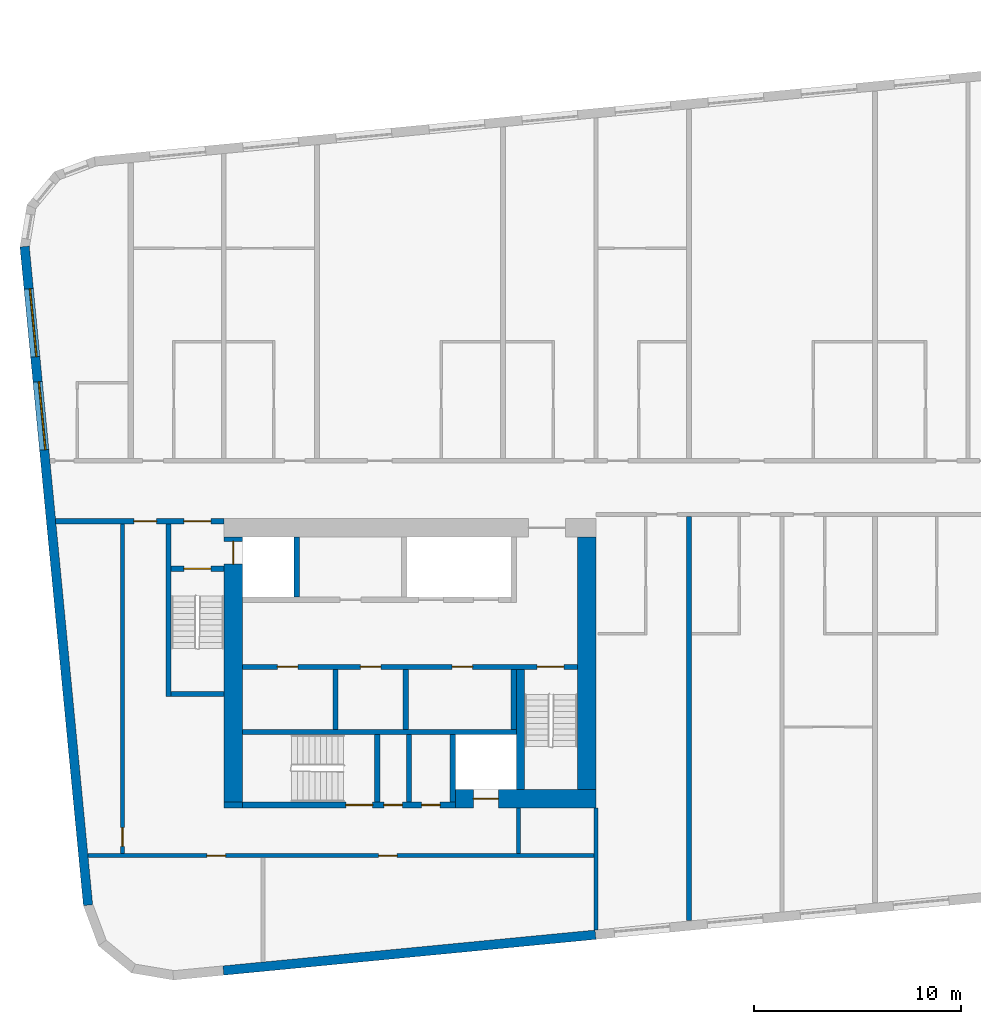
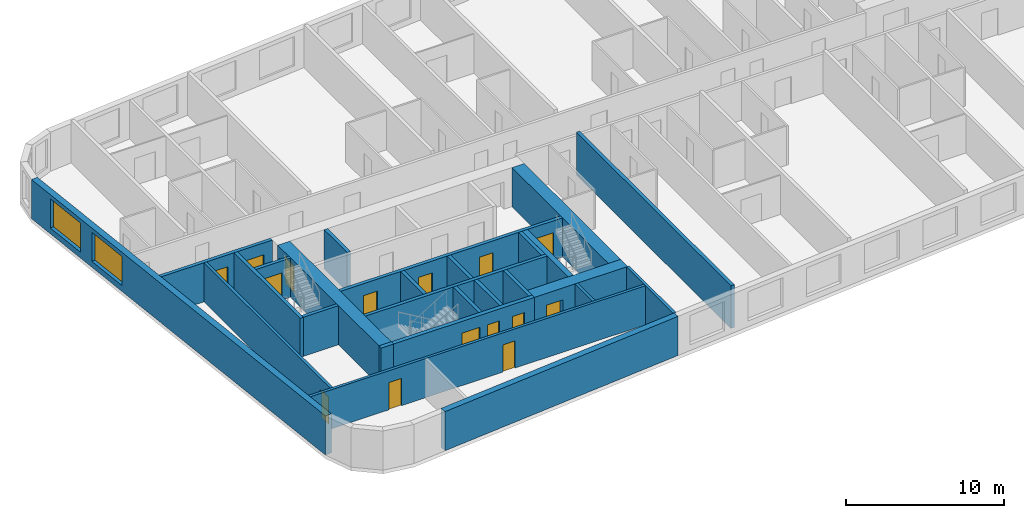
# One storey, part 2 of 12: 26 walls, 15 doors, 2 windows, 17 openings.
"""IFC4 building model written with IfcOpenShell, lengths in metres."""

from ifc_helpers import new_model, si_unit, direction, frame, frame_2d, origin, place, context, subcontext, project, spatial, rectangle, extrude, material, layer, layer_set, type_object, element, fill, save


model = new_model("IFC4")

# Units and contexts
model_context = context("Model", 3, precision=1e-05, world=origin(), true_north=direction((0.0, 1.0)))
body_context = subcontext(model_context, "Body", "Model", "MODEL_VIEW")
ifc_project = project(units=[si_unit("LENGTHUNIT", "METRE"), si_unit("AREAUNIT", "SQUARE_METRE"), si_unit("VOLUMEUNIT", "CUBIC_METRE"), si_unit("PLANEANGLEUNIT", "RADIAN"), si_unit("MASSUNIT", "GRAM", prefix="KILO")], contexts=[model_context])

# Site, building, storey
site_placement = place(None, origin())
site = spatial("IfcSite", under=ifc_project, at=site_placement, CompositionType="ELEMENT")
building_placement = place(site_placement, origin())
building = spatial("IfcBuilding", under=site, at=building_placement, Name="Kajstack Hotel Tower", CompositionType="ELEMENT")
storey_placement = place(building_placement, frame((0.0, 0.0, 294.89990234375)))
storey = spatial("IfcBuildingStorey", under=building, at=storey_placement, Name="L74", CompositionType="ELEMENT", Elevation=294.89990234375)

# Wall, opening, door
ifc_material_1 = material(Name="Concrete C60/75", Category="concrete")
ifc_layer_1 = layer(ifc_material_1, 0.89990234375)
ifc_layer_set_1 = layer_set([ifc_layer_1], Name="Core wall 900")
wall_type_1 = type_object("IfcWallType", Name="Core wall 900", PredefinedType="SHEAR", material=ifc_layer_set_1)
wall_1_placement = place(storey_placement, frame((-20.300048828125, -15.050048828125, 0.0), z_axis=(0.0, 0.0, 1.0), x_axis=(1.0, 0.0, 0.0)))
wall_1 = element("IfcWall", 1, at=wall_1_placement, inside=storey, type_object=wall_type_1, Name="Core wall W RS", PredefinedType="SHEAR", context=body_context, shape_type="SweptSolid", body=[
    extrude(rectangle(XDim=6.800048828125, YDim=0.89990234375, at=frame_2d((3.39990234375, 0.0))), origin(), (0.0, 0.0, 1.0), 3.02001953125),
])
opening_1_placement = place(wall_1_placement, frame((0.875, 0.0, 0.0)))
opening_1 = element("IfcOpeningElement", 2, at=opening_1_placement, cuts=wall_1, Name="Opening LD-SV1", PredefinedType="OPENING", context=body_context, shape_type="SweptSolid", body=[
    extrude(rectangle(XDim=1.199951171875, YDim=2.10009765625, at=frame_2d((0.60009765625, 1.050048828125))), frame((0.0, 0.4599609375, 0.0), z_axis=(0.0, -1.0, 0.0), x_axis=(1.0, 0.0, 0.0)), (0.0, 0.0, 1.0), 0.919921875),
])
ifc_material_2 = material(Name="Stainless steel", Category="steel")
door_type_1 = type_object("IfcDoorType", Name="Lift landing door 1200", OperationType="SLIDING_TO_LEFT", PredefinedType="DOOR", material=ifc_material_2)
door_1_placement = place(opening_1_placement, origin())
door_1 = element("IfcDoor", 3, at=door_1_placement, inside=storey, type_object=door_type_1, Name="Landing door SV1", OperationType="SLIDING_TO_LEFT", OverallHeight=2.10009765625, OverallWidth=1.199951171875, PredefinedType="DOOR", context=body_context, shape_type="SweptSolid", body=[
    extrude(rectangle(XDim=1.199951171875, YDim=2.10009765625, at=frame_2d((0.60009765625, 1.050048828125))), frame((0.0, 0.02490234375, 0.0), z_axis=(0.0, -1.0, 0.0), x_axis=(1.0, 0.0, 0.0)), (0.0, 0.0, 1.0), 0.050048828125),
])
fill(opening_1, door_1)

# Wall
wall_2_placement = place(storey_placement, frame((-31.5, -15.35009765625, 0.0), z_axis=(0.0, 0.0, 1.0), x_axis=(1.0, 0.0, 0.0)))
element("IfcWall", 4, at=wall_2_placement, inside=storey, type_object=wall_type_1, Name="Core wall W RSW", PredefinedType="SHEAR", context=body_context, shape_type="SweptSolid", body=[
    extrude(rectangle(XDim=0.89990234375, YDim=0.300048828125, at=frame_2d((0.449951171875, 0.0))), origin(), (0.0, 0.0, 1.0), 3.02001953125),
])

# Wall, opening, door
wall_3_placement = place(storey_placement, frame((-31.050048828125, -15.199951171875, 0.0), z_axis=(0.0, 0.0, 1.0), x_axis=(0.0, 1.0, 0.0)))
wall_3 = element("IfcWall", 5, at=wall_3_placement, inside=storey, type_object=wall_type_1, Name="Core wall W RW", PredefinedType="SHEAR", context=body_context, shape_type="SweptSolid", body=[
    extrude(rectangle(XDim=12.800048828125, YDim=0.89990234375, at=frame_2d((6.39990234375, 0.0))), origin(), (0.0, 0.0, 1.0), 3.02001953125),
])
opening_2_placement = place(wall_3_placement, frame((11.5, 0.0, 0.0)))
opening_2 = element("IfcOpeningElement", 6, at=opening_2_placement, cuts=wall_3, Name="Opening LD-FF1", PredefinedType="OPENING", context=body_context, shape_type="SweptSolid", body=[
    extrude(rectangle(XDim=1.10009765625, YDim=2.10009765625, at=frame_2d((0.550048828125, 1.050048828125))), frame((0.0, 0.4599609375, 0.0), z_axis=(0.0, -1.0, 0.0), x_axis=(1.0, 0.0, 0.0)), (0.0, 0.0, 1.0), 0.919921875),
])
door_type_2 = type_object("IfcDoorType", Name="Fire-fighting lift landing door 1100", OperationType="SLIDING_TO_LEFT", PredefinedType="DOOR", material=ifc_material_2)
door_2_placement = place(opening_2_placement, origin())
door_2 = element("IfcDoor", 7, at=door_2_placement, inside=storey, type_object=door_type_2, Name="Landing door FF1", OperationType="SLIDING_TO_RIGHT", OverallHeight=2.10009765625, OverallWidth=1.10009765625, PredefinedType="DOOR", context=body_context, shape_type="SweptSolid", body=[
    extrude(rectangle(XDim=1.10009765625, YDim=2.10009765625, at=frame_2d((0.550048828125, 1.050048828125))), frame((0.0, 0.02490234375, 0.0), z_axis=(0.0, -1.0, 0.0), x_axis=(1.0, 0.0, 0.0)), (0.0, 0.0, 1.0), 0.050048828125),
])
fill(opening_2, door_2)

# Walls
wall_4_placement = place(storey_placement, frame((-13.949951171875, -14.60009765625, 0.0), z_axis=(0.0, 0.0, 1.0), x_axis=(0.0, 1.0, 0.0)))
element("IfcWall", 8, at=wall_4_placement, inside=storey, type_object=wall_type_1, Name="Core wall W RE", PredefinedType="SHEAR", context=body_context, shape_type="SweptSolid", body=[
    extrude(rectangle(XDim=12.2001953125, YDim=0.89990234375, at=frame_2d((6.10009765625, 0.0))), origin(), (0.0, 0.0, 1.0), 3.02001953125),
])
ifc_material_3 = material(Name="Twin-frame gypsum board on steel studs, mineral wool", Category="steel")
ifc_layer_2 = layer(ifc_material_3, 0.199951171875)
ifc_layer_set_2 = layer_set([ifc_layer_2], Name="Demising wall 200")
wall_type_2 = type_object("IfcWallType", Name="Demising wall 200", PredefinedType="PARTITIONING", material=ifc_layer_set_2)
wall_5_placement = place(storey_placement, frame((-13.5, -21.39599609375, 0.0), z_axis=(0.0, 0.0, 1.0), x_axis=(0.0, 1.0, 0.0)))
element("IfcWall", 9, at=wall_5_placement, inside=storey, type_object=wall_type_2, Name="G-wall-L74-002", PredefinedType="PARTITIONING", context=body_context, shape_type="SweptSolid", body=[
    extrude(rectangle(XDim=5.89599609375, YDim=0.199951171875, at=frame_2d((2.947998046875, 0.0))), origin(), (0.0, 0.0, 1.0), 3.02001953125),
])
ifc_material_4 = material(Name="Concrete C40/50", Category="concrete")
ifc_layer_3 = layer(ifc_material_4, 0.449951171875)
ifc_layer_set_3 = layer_set([ifc_layer_3], Name="EW-CORE")
wall_type_3 = type_object("IfcWallType", Name="EW-CORE", PredefinedType="SOLIDWALL", material=ifc_layer_set_3)
wall_6_placement = place(storey_placement, frame((-31.521484375, -23.357177734375, 0.0), z_axis=(0.0, 0.0, 1.0), x_axis=(0.995396454615, 0.095843091245, 0.0)))
element("IfcWall", 10, at=wall_6_placement, inside=storey, type_object=wall_type_3, Name="E-wall-L74-04-01", PredefinedType="SOLIDWALL", context=body_context, shape_type="SweptSolid", body=[
    extrude(rectangle(XDim=18.083251953125, YDim=0.449951171875, at=frame_2d((9.04150390625, 0.0))), origin(), (0.0, 0.0, 1.0), 3.02001953125),
])

# Wall, openings, windows
ifc_material_5 = material(Name="Terracotta-faced brick masonry", Category="masonry")
ifc_layer_4 = layer(ifc_material_5, 0.449951171875)
ifc_layer_set_4 = layer_set([ifc_layer_4], Name="EW-TERRA")
wall_type_4 = type_object("IfcWallType", Name="EW-TERRA", PredefinedType="SOLIDWALL", material=ifc_layer_set_4)
wall_7_placement = place(storey_placement, frame((-41.13232421875, 11.657958984375, 0.0), z_axis=(0.0, 0.0, 1.0), x_axis=(0.095847749461, -0.995396006082, 0.0)))
wall_7 = element("IfcWall", 11, at=wall_7_placement, inside=storey, type_object=wall_type_4, Name="E-wall-L74-00-00", PredefinedType="SOLIDWALL", context=body_context, shape_type="SweptSolid", body=[
    extrude(rectangle(XDim=32.0, YDim=0.449951171875, at=frame_2d((16.0, 0.0))), origin(), (0.0, 0.0, 1.0), 3.02001953125),
])
opening_3_placement = place(wall_7_placement, frame((2.053466796875, 0.0, 0.449951171875)))
opening_3 = element("IfcOpeningElement", 12, at=opening_3_placement, cuts=wall_7, Name="Opening W2", PredefinedType="OPENING", context=body_context, shape_type="SweptSolid", body=[
    extrude(rectangle(XDim=3.300048828125, YDim=2.25, at=frame_2d((1.64990234375, 1.125))), frame((0.0, 0.23486328125, 0.0), z_axis=(0.0, -1.0, 0.0), x_axis=(1.0, 0.0, 0.0)), (0.0, 0.0, 1.0), 0.469970703125),
])
opening_4_placement = place(wall_7_placement, frame((6.57421875, 0.0, 0.449951171875)))
opening_4 = element("IfcOpeningElement", 13, at=opening_4_placement, cuts=wall_7, Name="Opening W2", PredefinedType="OPENING", context=body_context, shape_type="SweptSolid", body=[
    extrude(rectangle(XDim=3.300048828125, YDim=2.25, at=frame_2d((1.64990234375, 1.125))), frame((0.0, 0.23486328125, 0.0), z_axis=(0.0, -1.0, 0.0), x_axis=(1.0, 0.0, 0.0)), (0.0, 0.0, 1.0), 0.469970703125),
])
ifc_material_6 = material(Name="Timber-aluminium window, triple glazed", Category="wood")
window_type = type_object("IfcWindowType", Name="WG2", PartitioningType="SINGLE_PANEL", PredefinedType="WINDOW", material=ifc_material_6)
window_1_placement = place(opening_3_placement, origin())
window_1 = element("IfcWindow", 14, at=window_1_placement, inside=storey, type_object=window_type, Name="Window W2 L74-00", OverallHeight=2.25, OverallWidth=3.300048828125, PartitioningType="SINGLE_PANEL", PredefinedType="WINDOW", context=body_context, shape_type="SweptSolid", body=[
    extrude(rectangle(XDim=3.300048828125, YDim=2.25, at=frame_2d((1.64990234375, 1.125))), frame((0.0, 0.090087890625, 0.0), z_axis=(0.0, -1.0, 0.0), x_axis=(1.0, 0.0, 0.0)), (0.0, 0.0, 1.0), 0.06005859375),
])
fill(opening_3, window_1)
window_2_placement = place(opening_4_placement, origin())
window_2 = element("IfcWindow", 15, at=window_2_placement, inside=storey, type_object=window_type, Name="Window W2 L74-00", OverallHeight=2.25, OverallWidth=3.300048828125, PartitioningType="SINGLE_PANEL", PredefinedType="WINDOW", context=body_context, shape_type="SweptSolid", body=[
    extrude(rectangle(XDim=3.300048828125, YDim=2.25, at=frame_2d((1.64990234375, 1.125))), frame((0.0, 0.090087890625, 0.0), z_axis=(0.0, -1.0, 0.0), x_axis=(1.0, 0.0, 0.0)), (0.0, 0.0, 1.0), 0.06005859375),
])
fill(opening_4, window_2)

# Walls
ifc_layer_5 = layer(ifc_material_4, 0.25)
ifc_layer_set_5 = layer_set([ifc_layer_5], Name="RC cross wall 250 C40/50")
wall_type_5 = type_object("IfcWallType", Name="RC cross wall 250 C40/50", PredefinedType="SHEAR", material=ifc_layer_set_5)
wall_8_placement = place(storey_placement, frame((-9.0, -20.9404296875, 0.0), z_axis=(0.0, 0.0, 1.0), x_axis=(0.0, 1.0, 0.0)))
element("IfcWall", 16, at=wall_8_placement, inside=storey, type_object=wall_type_5, Name="S-wall-L74-04", PredefinedType="SHEAR", context=body_context, shape_type="SweptSolid", body=[
    extrude(rectangle(XDim=19.54052734375, YDim=0.25, at=frame_2d((9.770263671875, 0.0))), origin(), (0.0, 0.0, 1.0), 3.300048828125),
])
ifc_material_7 = material(Name="Concrete block masonry", Category="masonry")
ifc_layer_6 = layer(ifc_material_7, 0.25)
ifc_layer_set_6 = layer_set([ifc_layer_6], Name="Riser partition 250")
wall_type_6 = type_object("IfcWallType", Name="Riser partition 250", PredefinedType="PARTITIONING", material=ifc_layer_set_6)
for number, where, z_axis, x_axis, name in (
    (17, (-26.10009765625, -11.699951171875, 0.0), (0.0, 0.0, 1.0), (0.0, 1.0, 0.0), "Partition W BF0"),
    (18, (-22.699951171875, -11.699951171875, 0.0), (0.0, 0.0, 1.0), (0.0, 1.0, 0.0), "Partition W BF1"),
):
    element("IfcWall", number, at=place(storey_placement, frame(where, z_axis=z_axis, x_axis=x_axis)), inside=storey, type_object=wall_type_6, Name=name, PredefinedType="PARTITIONING", context=body_context, shape_type="SweptSolid", body=[
        extrude(rectangle(XDim=2.89990234375, YDim=0.25, at=frame_2d((1.449951171875, 0.0))), origin(), (0.0, 0.0, 1.0), 3.02001953125),
    ])
wall_9_placement = place(storey_placement, frame((-22.550048828125, -15.199951171875, 0.0), z_axis=(0.0, 0.0, 1.0), x_axis=(0.0, 1.0, 0.0)))
element("IfcWall", 19, at=wall_9_placement, inside=storey, type_object=wall_type_6, Name="Partition W SZ0", PredefinedType="PARTITIONING", context=body_context, shape_type="SweptSolid", body=[
    extrude(rectangle(XDim=3.25, YDim=0.25, at=frame_2d((1.625, 0.0))), origin(), (0.0, 0.0, 1.0), 3.02001953125),
])

# Wall, openings, doors
ifc_material_8 = material(Name="Gypsum board on steel studs, mineral wool", Category="steel")
ifc_layer_7 = layer(ifc_material_8, 0.199951171875)
ifc_layer_set_7 = layer_set([ifc_layer_7], Name="Service partition 200")
wall_type_7 = type_object("IfcWallType", Name="Service partition 200", PredefinedType="PARTITIONING", material=ifc_layer_set_7)
wall_10_placement = place(storey_placement, frame((-39.627197265625, -1.625, 0.0), z_axis=(0.0, 0.0, 1.0), x_axis=(1.0, 0.0, 0.0)))
wall_10 = element("IfcWall", 20, at=wall_10_placement, inside=storey, type_object=wall_type_7, Name="Partition W SN", PredefinedType="PARTITIONING", context=body_context, shape_type="SweptSolid", body=[
    extrude(rectangle(XDim=8.127197265625, YDim=0.25, at=frame_2d((4.0634765625, 0.0))), origin(), (0.0, 0.0, 1.0), 3.02001953125),
])
opening_5_placement = place(wall_10_placement, frame((6.202392578125, 0.0, 0.0)))
opening_5 = element("IfcOpeningElement", 21, at=opening_5_placement, cuts=wall_10, Name="Opening 74W06", PredefinedType="OPENING", context=body_context, shape_type="SweptSolid", body=[
    extrude(rectangle(XDim=1.300048828125, YDim=2.10009765625, at=frame_2d((0.64990234375, 1.050048828125))), frame((0.0, 0.135009765625, 0.0), z_axis=(0.0, -1.0, 0.0), x_axis=(1.0, 0.0, 0.0)), (0.0, 0.0, 1.0), 0.27001953125),
])
opening_6_placement = place(wall_10_placement, frame((3.77734375, 0.0, 0.0)))
opening_6 = element("IfcOpeningElement", 22, at=opening_6_placement, cuts=wall_10, Name="Opening 74W08", PredefinedType="OPENING", context=body_context, shape_type="SweptSolid", body=[
    extrude(rectangle(XDim=1.10009765625, YDim=2.10009765625, at=frame_2d((0.550048828125, 1.050048828125))), frame((0.0, 0.135009765625, 0.0), z_axis=(0.0, -1.0, 0.0), x_axis=(1.0, 0.0, 0.0)), (0.0, 0.0, 1.0), 0.27001953125),
])
ifc_material_9 = material(Name="Steel leaf, fire-rated", Category="steel")
door_type_3 = type_object("IfcDoorType", Name="Fire lobby door 1300", OperationType="SINGLE_SWING_LEFT", PredefinedType="DOOR", material=ifc_material_9)
door_3_placement = place(opening_5_placement, origin())
door_3 = element("IfcDoor", 23, at=door_3_placement, inside=storey, type_object=door_type_3, Name="Door 74W06", OperationType="SINGLE_SWING_RIGHT", OverallHeight=2.10009765625, OverallWidth=1.300048828125, PredefinedType="DOOR", context=body_context, shape_type="SweptSolid", body=[
    extrude(rectangle(XDim=1.300048828125, YDim=2.10009765625, at=frame_2d((0.64990234375, 1.050048828125))), frame((0.0, 0.02490234375, 0.0), z_axis=(0.0, -1.0, 0.0), x_axis=(1.0, 0.0, 0.0)), (0.0, 0.0, 1.0), 0.050048828125),
])
fill(opening_5, door_3)
ifc_material_10 = material(Name="Timber leaf, fire-rated", Category="wood")
door_type_4 = type_object("IfcDoorType", Name="Service corridor door 1100", OperationType="SINGLE_SWING_LEFT", PredefinedType="DOOR", material=ifc_material_10)
door_4_placement = place(opening_6_placement, origin())
door_4 = element("IfcDoor", 24, at=door_4_placement, inside=storey, type_object=door_type_4, Name="Door 74W08", OperationType="SINGLE_SWING_RIGHT", OverallHeight=2.10009765625, OverallWidth=1.10009765625, PredefinedType="DOOR", context=body_context, shape_type="SweptSolid", body=[
    extrude(rectangle(XDim=1.10009765625, YDim=2.10009765625, at=frame_2d((0.550048828125, 1.050048828125))), frame((0.0, 0.02490234375, 0.0), z_axis=(0.0, -1.0, 0.0), x_axis=(1.0, 0.0, 0.0)), (0.0, 0.0, 1.0), 0.050048828125),
])
fill(opening_6, door_4)

# Wall
wall_11_placement = place(storey_placement, frame((-17.25, -17.699951171875, 0.0), z_axis=(0.0, 0.0, 1.0), x_axis=(0.0, 1.0, 0.0)))
element("IfcWall", 25, at=wall_11_placement, inside=storey, type_object=wall_type_7, Name="Partition W SCE", PredefinedType="PARTITIONING", context=body_context, shape_type="SweptSolid", body=[
    extrude(rectangle(XDim=2.199951171875, YDim=0.199951171875, at=frame_2d((1.10009765625, 0.0))), origin(), (0.0, 0.0, 1.0), 3.02001953125),
])

# Wall, opening, door
wall_12_placement = place(storey_placement, frame((-36.39990234375, -17.699951171875, 0.0), z_axis=(0.0, 0.0, 1.0), x_axis=(0.0, 1.0, 0.0)))
wall_12 = element("IfcWall", 26, at=wall_12_placement, inside=storey, type_object=wall_type_7, Name="Partition W WRE", PredefinedType="PARTITIONING", context=body_context, shape_type="SweptSolid", body=[
    extrude(rectangle(XDim=15.949951171875, YDim=0.199951171875, at=frame_2d((7.97509765625, 0.0))), origin(), (0.0, 0.0, 1.0), 3.02001953125),
])
opening_7_placement = place(wall_12_placement, frame((0.35009765625, 0.0, 0.0)))
opening_7 = element("IfcOpeningElement", 27, at=opening_7_placement, cuts=wall_12, Name="Opening 74W19", PredefinedType="OPENING", context=body_context, shape_type="SweptSolid", body=[
    extrude(rectangle(XDim=0.89990234375, YDim=2.10009765625, at=frame_2d((0.449951171875, 1.050048828125))), frame((0.0, 0.10986328125, 0.0), z_axis=(0.0, -1.0, 0.0), x_axis=(1.0, 0.0, 0.0)), (0.0, 0.0, 1.0), 0.219970703125),
])
door_type_5 = type_object("IfcDoorType", Name="Service door 900", OperationType="SINGLE_SWING_LEFT", PredefinedType="DOOR", material=ifc_material_10)
door_5_placement = place(opening_7_placement, origin())
door_5 = element("IfcDoor", 28, at=door_5_placement, inside=storey, type_object=door_type_5, Name="Door 74W19", OperationType="SINGLE_SWING_LEFT", OverallHeight=2.10009765625, OverallWidth=0.89990234375, PredefinedType="DOOR", context=body_context, shape_type="SweptSolid", body=[
    extrude(rectangle(XDim=0.89990234375, YDim=2.10009765625, at=frame_2d((0.449951171875, 1.050048828125))), frame((0.0, 0.02490234375, 0.0), z_axis=(0.0, -1.0, 0.0), x_axis=(1.0, 0.0, 0.0)), (0.0, 0.0, 1.0), 0.050048828125),
])
fill(opening_7, door_5)

# Wall, openings, doors
wall_13_placement = place(storey_placement, frame((-38.06982421875, -17.800048828125, 0.0), z_axis=(0.0, 0.0, 1.0), x_axis=(1.0, 0.0, 0.0)))
wall_13 = element("IfcWall", 29, at=wall_13_placement, inside=storey, type_object=wall_type_7, Name="Partition W SLN", PredefinedType="PARTITIONING", context=body_context, shape_type="SweptSolid", body=[
    extrude(rectangle(XDim=24.4697265625, YDim=0.199951171875, at=frame_2d((12.23486328125, 0.0))), origin(), (0.0, 0.0, 1.0), 3.02001953125),
])
opening_8_placement = place(wall_13_placement, frame((5.75732421875, 0.0, 0.0)))
opening_8 = element("IfcOpeningElement", 30, at=opening_8_placement, cuts=wall_13, Name="Opening 74W17", PredefinedType="OPENING", context=body_context, shape_type="SweptSolid", body=[
    extrude(rectangle(XDim=0.89990234375, YDim=2.10009765625, at=frame_2d((0.449951171875, 1.050048828125))), frame((0.0, 0.10986328125, 0.0), z_axis=(0.0, -1.0, 0.0), x_axis=(1.0, 0.0, 0.0)), (0.0, 0.0, 1.0), 0.219970703125),
])
opening_9_placement = place(wall_13_placement, frame((14.057373046875, 0.0, 0.0)))
opening_9 = element("IfcOpeningElement", 31, at=opening_9_placement, cuts=wall_13, Name="Opening 74W18", PredefinedType="OPENING", context=body_context, shape_type="SweptSolid", body=[
    extrude(rectangle(XDim=0.89990234375, YDim=2.10009765625, at=frame_2d((0.449951171875, 1.050048828125))), frame((0.0, 0.10986328125, 0.0), z_axis=(0.0, -1.0, 0.0), x_axis=(1.0, 0.0, 0.0)), (0.0, 0.0, 1.0), 0.219970703125),
])
door_6_placement = place(opening_8_placement, origin())
door_6 = element("IfcDoor", 32, at=door_6_placement, inside=storey, type_object=door_type_5, Name="Door 74W17", OperationType="SINGLE_SWING_RIGHT", OverallHeight=2.10009765625, OverallWidth=0.89990234375, PredefinedType="DOOR", context=body_context, shape_type="SweptSolid", body=[
    extrude(rectangle(XDim=0.89990234375, YDim=2.10009765625, at=frame_2d((0.449951171875, 1.050048828125))), frame((0.0, 0.02490234375, 0.0), z_axis=(0.0, -1.0, 0.0), x_axis=(1.0, 0.0, 0.0)), (0.0, 0.0, 1.0), 0.050048828125),
])
fill(opening_8, door_6)
door_7_placement = place(opening_9_placement, origin())
door_7 = element("IfcDoor", 33, at=door_7_placement, inside=storey, type_object=door_type_5, Name="Door 74W18", OperationType="SINGLE_SWING_RIGHT", OverallHeight=2.10009765625, OverallWidth=0.89990234375, PredefinedType="DOOR", context=body_context, shape_type="SweptSolid", body=[
    extrude(rectangle(XDim=0.89990234375, YDim=2.10009765625, at=frame_2d((0.449951171875, 1.050048828125))), frame((0.0, 0.02490234375, 0.0), z_axis=(0.0, -1.0, 0.0), x_axis=(1.0, 0.0, 0.0)), (0.0, 0.0, 1.0), 0.050048828125),
])
fill(opening_9, door_7)

ifc_material_11 = material(Name="Concrete C50/60", Category="concrete")
ifc_layer_8 = layer(ifc_material_11, 0.25)
ifc_layer_set_8 = layer_set([ifc_layer_8], Name="Shaft wall 250")
wall_type_8 = type_object("IfcWallType", Name="Shaft wall 250", PredefinedType="SHEAR", material=ifc_layer_set_8)
wall_14_placement = place(storey_placement, frame((-30.60009765625, -15.35009765625, 0.0), z_axis=(0.0, 0.0, 1.0), x_axis=(1.0, 0.0, 0.0)))
wall_14 = element("IfcWall", 34, at=wall_14_placement, inside=storey, type_object=wall_type_8, Name="Core wall W RSS", PredefinedType="SHEAR", context=body_context, shape_type="SweptSolid", body=[
    extrude(rectangle(XDim=10.300048828125, YDim=0.300048828125, at=frame_2d((5.14990234375, 0.0))), origin(), (0.0, 0.0, 1.0), 3.02001953125),
])
opening_10_placement = place(wall_14_placement, frame((5.0, 0.0, 0.0)))
opening_10 = element("IfcOpeningElement", 35, at=opening_10_placement, cuts=wall_14, Name="Opening 74W10", PredefinedType="OPENING", context=body_context, shape_type="SweptSolid", body=[
    extrude(rectangle(XDim=1.300048828125, YDim=2.10009765625, at=frame_2d((0.64990234375, 1.050048828125))), frame((0.0, 0.159912109375, 0.0), z_axis=(0.0, -1.0, 0.0), x_axis=(1.0, 0.0, 0.0)), (0.0, 0.0, 1.0), 0.320068359375),
])
opening_11_placement = place(wall_14_placement, frame((6.83740234375, 0.0, 0.0)))
opening_11 = element("IfcOpeningElement", 36, at=opening_11_placement, cuts=wall_14, Name="Opening 74W11", PredefinedType="OPENING", context=body_context, shape_type="SweptSolid", body=[
    extrude(rectangle(XDim=0.89990234375, YDim=2.10009765625, at=frame_2d((0.449951171875, 1.050048828125))), frame((0.0, 0.159912109375, 0.0), z_axis=(0.0, -1.0, 0.0), x_axis=(1.0, 0.0, 0.0)), (0.0, 0.0, 1.0), 0.320068359375),
])
opening_12_placement = place(wall_14_placement, frame((8.66259765625, 0.0, 0.0)))
opening_12 = element("IfcOpeningElement", 37, at=opening_12_placement, cuts=wall_14, Name="Opening 74W12", PredefinedType="OPENING", context=body_context, shape_type="SweptSolid", body=[
    extrude(rectangle(XDim=0.89990234375, YDim=2.10009765625, at=frame_2d((0.449951171875, 1.050048828125))), frame((0.0, 0.159912109375, 0.0), z_axis=(0.0, -1.0, 0.0), x_axis=(1.0, 0.0, 0.0)), (0.0, 0.0, 1.0), 0.320068359375),
])
door_type_6 = type_object("IfcDoorType", Name="Riser door 900", OperationType="SINGLE_SWING_LEFT", PredefinedType="DOOR", material=ifc_material_9)
door_8_placement = place(opening_12_placement, origin())
door_8 = element("IfcDoor", 38, at=door_8_placement, inside=storey, type_object=door_type_6, Name="Door 74W12", OperationType="SINGLE_SWING_LEFT", OverallHeight=2.10009765625, OverallWidth=0.89990234375, PredefinedType="DOOR", context=body_context, shape_type="SweptSolid", body=[
    extrude(rectangle(XDim=0.89990234375, YDim=2.10009765625, at=frame_2d((0.449951171875, 1.050048828125))), frame((0.0, 0.02490234375, 0.0), z_axis=(0.0, -1.0, 0.0), x_axis=(1.0, 0.0, 0.0)), (0.0, 0.0, 1.0), 0.050048828125),
])
fill(opening_12, door_8)
door_9_placement = place(opening_11_placement, origin())
door_9 = element("IfcDoor", 39, at=door_9_placement, inside=storey, type_object=door_type_5, Name="Door 74W11", OperationType="SINGLE_SWING_LEFT", OverallHeight=2.10009765625, OverallWidth=0.89990234375, PredefinedType="DOOR", context=body_context, shape_type="SweptSolid", body=[
    extrude(rectangle(XDim=0.89990234375, YDim=2.10009765625, at=frame_2d((0.449951171875, 1.050048828125))), frame((0.0, 0.02490234375, 0.0), z_axis=(0.0, -1.0, 0.0), x_axis=(1.0, 0.0, 0.0)), (0.0, 0.0, 1.0), 0.050048828125),
])
fill(opening_11, door_9)
door_type_7 = type_object("IfcDoorType", Name="Stair door 1300", OperationType="SINGLE_SWING_LEFT", PredefinedType="DOOR", material=ifc_material_9)
door_10_placement = place(opening_10_placement, origin())
door_10 = element("IfcDoor", 40, at=door_10_placement, inside=storey, type_object=door_type_7, Name="Door 74W10", OperationType="SINGLE_SWING_RIGHT", OverallHeight=2.10009765625, OverallWidth=1.300048828125, PredefinedType="DOOR", context=body_context, shape_type="SweptSolid", body=[
    extrude(rectangle(XDim=1.300048828125, YDim=2.10009765625, at=frame_2d((0.64990234375, 1.050048828125))), frame((0.0, 0.02490234375, 0.0), z_axis=(0.0, -1.0, 0.0), x_axis=(1.0, 0.0, 0.0)), (0.0, 0.0, 1.0), 0.050048828125),
])
fill(opening_10, door_10)

# Wall
wall_15_placement = place(storey_placement, frame((-27.97509765625, -5.300048828125, 0.0), z_axis=(0.0, 0.0, 1.0), x_axis=(0.0, 1.0, 0.0)))
element("IfcWall", 41, at=wall_15_placement, inside=storey, type_object=wall_type_8, Name="Core wall W AP0", PredefinedType="SHEAR", context=body_context, shape_type="SweptSolid", body=[
    extrude(rectangle(XDim=2.900146484375, YDim=0.25, at=frame_2d((1.4501953125, 0.0))), origin(), (0.0, 0.0, 1.0), 3.02001953125),
])

# Wall, openings, doors
wall_16_placement = place(storey_placement, frame((-30.60009765625, -8.675048828125, 0.0), z_axis=(0.0, 0.0, 1.0), x_axis=(1.0, 0.0, 0.0)))
wall_16 = element("IfcWall", 42, at=wall_16_placement, inside=storey, type_object=wall_type_8, Name="Core wall W FB", PredefinedType="SHEAR", context=body_context, shape_type="SweptSolid", body=[
    extrude(rectangle(XDim=16.2001953125, YDim=0.25, at=frame_2d((8.10009765625, 0.0))), origin(), (0.0, 0.0, 1.0), 3.02001953125),
])
opening_13_placement = place(wall_16_placement, frame((14.25, 0.0, 0.0)))
opening_13 = element("IfcOpeningElement", 43, at=opening_13_placement, cuts=wall_16, Name="Opening 74W09", PredefinedType="OPENING", context=body_context, shape_type="SweptSolid", body=[
    extrude(rectangle(XDim=1.300048828125, YDim=2.10009765625, at=frame_2d((0.64990234375, 1.050048828125))), frame((0.0, 0.135009765625, 0.0), z_axis=(0.0, -1.0, 0.0), x_axis=(1.0, 0.0, 0.0)), (0.0, 0.0, 1.0), 0.27001953125),
])
opening_14_placement = place(wall_16_placement, frame((1.6875, 0.0, 0.0)))
opening_14 = element("IfcOpeningElement", 44, at=opening_14_placement, cuts=wall_16, Name="Opening 74W13", PredefinedType="OPENING", context=body_context, shape_type="SweptSolid", body=[
    extrude(rectangle(XDim=1.0, YDim=2.10009765625, at=frame_2d((0.5, 1.050048828125))), frame((0.0, 0.135009765625, 0.0), z_axis=(0.0, -1.0, 0.0), x_axis=(1.0, 0.0, 0.0)), (0.0, 0.0, 1.0), 0.27001953125),
])
opening_15_placement = place(wall_16_placement, frame((5.699951171875, 0.0, 0.0)))
opening_15 = element("IfcOpeningElement", 45, at=opening_15_placement, cuts=wall_16, Name="Opening 74W14", PredefinedType="OPENING", context=body_context, shape_type="SweptSolid", body=[
    extrude(rectangle(XDim=1.0, YDim=2.10009765625, at=frame_2d((0.5, 1.050048828125))), frame((0.0, 0.135009765625, 0.0), z_axis=(0.0, -1.0, 0.0), x_axis=(1.0, 0.0, 0.0)), (0.0, 0.0, 1.0), 0.27001953125),
])
opening_16_placement = place(wall_16_placement, frame((10.137451171875, 0.0, 0.0)))
opening_16 = element("IfcOpeningElement", 46, at=opening_16_placement, cuts=wall_16, Name="Opening 74W15", PredefinedType="OPENING", context=body_context, shape_type="SweptSolid", body=[
    extrude(rectangle(XDim=1.0, YDim=2.10009765625, at=frame_2d((0.5, 1.050048828125))), frame((0.0, 0.135009765625, 0.0), z_axis=(0.0, -1.0, 0.0), x_axis=(1.0, 0.0, 0.0)), (0.0, 0.0, 1.0), 0.27001953125),
])
door_type_8 = type_object("IfcDoorType", Name="Service room door 1000", OperationType="SINGLE_SWING_LEFT", PredefinedType="DOOR", material=ifc_material_10)
door_11_placement = place(opening_14_placement, origin())
door_11 = element("IfcDoor", 47, at=door_11_placement, inside=storey, type_object=door_type_8, Name="Door 74W13", OperationType="SINGLE_SWING_RIGHT", OverallHeight=2.10009765625, OverallWidth=1.0, PredefinedType="DOOR", context=body_context, shape_type="SweptSolid", body=[
    extrude(rectangle(XDim=1.0, YDim=2.10009765625, at=frame_2d((0.5, 1.050048828125))), frame((0.0, 0.02490234375, 0.0), z_axis=(0.0, -1.0, 0.0), x_axis=(1.0, 0.0, 0.0)), (0.0, 0.0, 1.0), 0.050048828125),
])
fill(opening_14, door_11)
door_12_placement = place(opening_15_placement, origin())
door_12 = element("IfcDoor", 48, at=door_12_placement, inside=storey, type_object=door_type_8, Name="Door 74W14", OperationType="SINGLE_SWING_RIGHT", OverallHeight=2.10009765625, OverallWidth=1.0, PredefinedType="DOOR", context=body_context, shape_type="SweptSolid", body=[
    extrude(rectangle(XDim=1.0, YDim=2.10009765625, at=frame_2d((0.5, 1.050048828125))), frame((0.0, 0.02490234375, 0.0), z_axis=(0.0, -1.0, 0.0), x_axis=(1.0, 0.0, 0.0)), (0.0, 0.0, 1.0), 0.050048828125),
])
fill(opening_15, door_12)
door_13_placement = place(opening_16_placement, origin())
door_13 = element("IfcDoor", 49, at=door_13_placement, inside=storey, type_object=door_type_8, Name="Door 74W15", OperationType="SINGLE_SWING_RIGHT", OverallHeight=2.10009765625, OverallWidth=1.0, PredefinedType="DOOR", context=body_context, shape_type="SweptSolid", body=[
    extrude(rectangle(XDim=1.0, YDim=2.10009765625, at=frame_2d((0.5, 1.050048828125))), frame((0.0, 0.02490234375, 0.0), z_axis=(0.0, -1.0, 0.0), x_axis=(1.0, 0.0, 0.0)), (0.0, 0.0, 1.0), 0.050048828125),
])
fill(opening_16, door_13)
door_14_placement = place(opening_13_placement, origin())
door_14 = element("IfcDoor", 50, at=door_14_placement, inside=storey, type_object=door_type_7, Name="Door 74W09", OperationType="SINGLE_SWING_RIGHT", OverallHeight=2.10009765625, OverallWidth=1.300048828125, PredefinedType="DOOR", context=body_context, shape_type="SweptSolid", body=[
    extrude(rectangle(XDim=1.300048828125, YDim=2.10009765625, at=frame_2d((0.64990234375, 1.050048828125))), frame((0.0, 0.02490234375, 0.0), z_axis=(0.0, -1.0, 0.0), x_axis=(1.0, 0.0, 0.0)), (0.0, 0.0, 1.0), 0.050048828125),
])
fill(opening_13, door_14)

# Walls
wall_17_placement = place(storey_placement, frame((-30.60009765625, -11.824951171875, 0.0), z_axis=(0.0, 0.0, 1.0), x_axis=(1.0, 0.0, 0.0)))
element("IfcWall", 51, at=wall_17_placement, inside=storey, type_object=wall_type_8, Name="Core wall W RB", PredefinedType="SHEAR", context=body_context, shape_type="SweptSolid", body=[
    extrude(rectangle(XDim=13.25, YDim=0.25, at=frame_2d((6.625, 0.0))), origin(), (0.0, 0.0, 1.0), 3.02001953125),
])
wall_18_placement = place(storey_placement, frame((-17.47509765625, -11.699951171875, 0.0), z_axis=(0.0, 0.0, 1.0), x_axis=(0.0, 1.0, 0.0)))
element("IfcWall", 52, at=wall_18_placement, inside=storey, type_object=wall_type_8, Name="Core wall W BE", PredefinedType="SHEAR", context=body_context, shape_type="SweptSolid", body=[
    extrude(rectangle(XDim=2.89990234375, YDim=0.25, at=frame_2d((1.449951171875, 0.0))), origin(), (0.0, 0.0, 1.0), 3.02001953125),
])
wall_19_placement = place(storey_placement, frame((-20.425048828125, -15.199951171875, 0.0), z_axis=(0.0, 0.0, 1.0), x_axis=(0.0, 1.0, 0.0)))
element("IfcWall", 53, at=wall_19_placement, inside=storey, type_object=wall_type_8, Name="Core wall W SVW", PredefinedType="SHEAR", context=body_context, shape_type="SweptSolid", body=[
    extrude(rectangle(XDim=3.25, YDim=0.25, at=frame_2d((1.625, 0.0))), origin(), (0.0, 0.0, 1.0), 3.02001953125),
])

# Wall, opening, door
ifc_layer_9 = layer(ifc_material_4, 0.25)
ifc_layer_set_9 = layer_set([ifc_layer_9], Name="Stair enclosure wall 250")
wall_type_9 = type_object("IfcWallType", Name="Stair enclosure wall 250", PredefinedType="SHEAR", material=ifc_layer_set_9)
wall_20_placement = place(storey_placement, frame((-34.050048828125, -3.925048828125, 0.0), z_axis=(0.0, 0.0, 1.0), x_axis=(1.0, 0.0, 0.0)))
wall_20 = element("IfcWall", 54, at=wall_20_placement, inside=storey, type_object=wall_type_9, Name="Core wall W W1N", PredefinedType="SHEAR", context=body_context, shape_type="SweptSolid", body=[
    extrude(rectangle(XDim=2.550048828125, YDim=0.25, at=frame_2d((1.27490234375, 0.0))), origin(), (0.0, 0.0, 1.0), 3.02001953125),
])
opening_17_placement = place(wall_20_placement, frame((0.625, 0.0, 0.0)))
opening_17 = element("IfcOpeningElement", 55, at=opening_17_placement, cuts=wall_20, Name="Opening 74W07", PredefinedType="OPENING", context=body_context, shape_type="SweptSolid", body=[
    extrude(rectangle(XDim=1.300048828125, YDim=2.10009765625, at=frame_2d((0.64990234375, 1.050048828125))), frame((0.0, 0.135009765625, 0.0), z_axis=(0.0, -1.0, 0.0), x_axis=(1.0, 0.0, 0.0)), (0.0, 0.0, 1.0), 0.27001953125),
])
door_15_placement = place(opening_17_placement, origin())
door_15 = element("IfcDoor", 56, at=door_15_placement, inside=storey, type_object=door_type_7, Name="Door 74W07", OperationType="SINGLE_SWING_RIGHT", OverallHeight=2.10009765625, OverallWidth=1.300048828125, PredefinedType="DOOR", context=body_context, shape_type="SweptSolid", body=[
    extrude(rectangle(XDim=1.300048828125, YDim=2.10009765625, at=frame_2d((0.64990234375, 1.050048828125))), frame((0.0, 0.02490234375, 0.0), z_axis=(0.0, -1.0, 0.0), x_axis=(1.0, 0.0, 0.0)), (0.0, 0.0, 1.0), 0.050048828125),
])
fill(opening_17, door_15)

# Walls
wall_21_placement = place(storey_placement, frame((-34.175048828125, -10.10009765625, 0.0), z_axis=(0.0, 0.0, 1.0), x_axis=(0.0, 1.0, 0.0)))
element("IfcWall", 57, at=wall_21_placement, inside=storey, type_object=wall_type_9, Name="Core wall W W1W", PredefinedType="SHEAR", context=body_context, shape_type="SweptSolid", body=[
    extrude(rectangle(XDim=8.35009765625, YDim=0.25, at=frame_2d((4.175048828125, 0.0))), origin(), (0.0, 0.0, 1.0), 3.02001953125),
])
wall_22_placement = place(storey_placement, frame((-34.050048828125, -9.97509765625, 0.0), z_axis=(0.0, 0.0, 1.0), x_axis=(1.0, 0.0, 0.0)))
element("IfcWall", 58, at=wall_22_placement, inside=storey, type_object=wall_type_9, Name="Core wall W W1S", PredefinedType="SHEAR", context=body_context, shape_type="SweptSolid", body=[
    extrude(rectangle(XDim=2.550048828125, YDim=0.25, at=frame_2d((1.27490234375, 0.0))), origin(), (0.0, 0.0, 1.0), 3.02001953125),
])
ifc_layer_10 = layer(ifc_material_11, 0.35009765625)
ifc_layer_set_10 = layer_set([ifc_layer_10], Name="Stair enclosure wall 350")
wall_type_10 = type_object("IfcWallType", Name="Stair enclosure wall 350", PredefinedType="SHEAR", material=ifc_layer_set_10)
wall_23_placement = place(storey_placement, frame((-24.074951171875, -15.199951171875, 0.0), z_axis=(0.0, 0.0, 1.0), x_axis=(0.0, 1.0, 0.0)))
element("IfcWall", 59, at=wall_23_placement, inside=storey, type_object=wall_type_10, Name="Core wall W W3E", PredefinedType="SHEAR", context=body_context, shape_type="SweptSolid", body=[
    extrude(rectangle(XDim=3.25, YDim=0.25, at=frame_2d((1.625, 0.0))), origin(), (0.0, 0.0, 1.0), 3.02001953125),
])
ifc_layer_11 = layer(ifc_material_11, 0.39990234375)
ifc_layer_set_11 = layer_set([ifc_layer_11], Name="Stair wall 400")
wall_type_11 = type_object("IfcWallType", Name="Stair wall 400", PredefinedType="SHEAR", material=ifc_layer_set_11)
wall_24_placement = place(storey_placement, frame((-17.14990234375, -14.60009765625, 0.0), z_axis=(0.0, 0.0, 1.0), x_axis=(0.0, 1.0, 0.0)))
element("IfcWall", 60, at=wall_24_placement, inside=storey, type_object=wall_type_11, Name="Core wall W WW2", PredefinedType="SHEAR", context=body_context, shape_type="SweptSolid", body=[
    extrude(rectangle(XDim=5.800048828125, YDim=0.39990234375, at=frame_2d((2.89990234375, 0.0))), origin(), (0.0, 0.0, 1.0), 3.02001953125),
])

save(model, "model.ifc")
